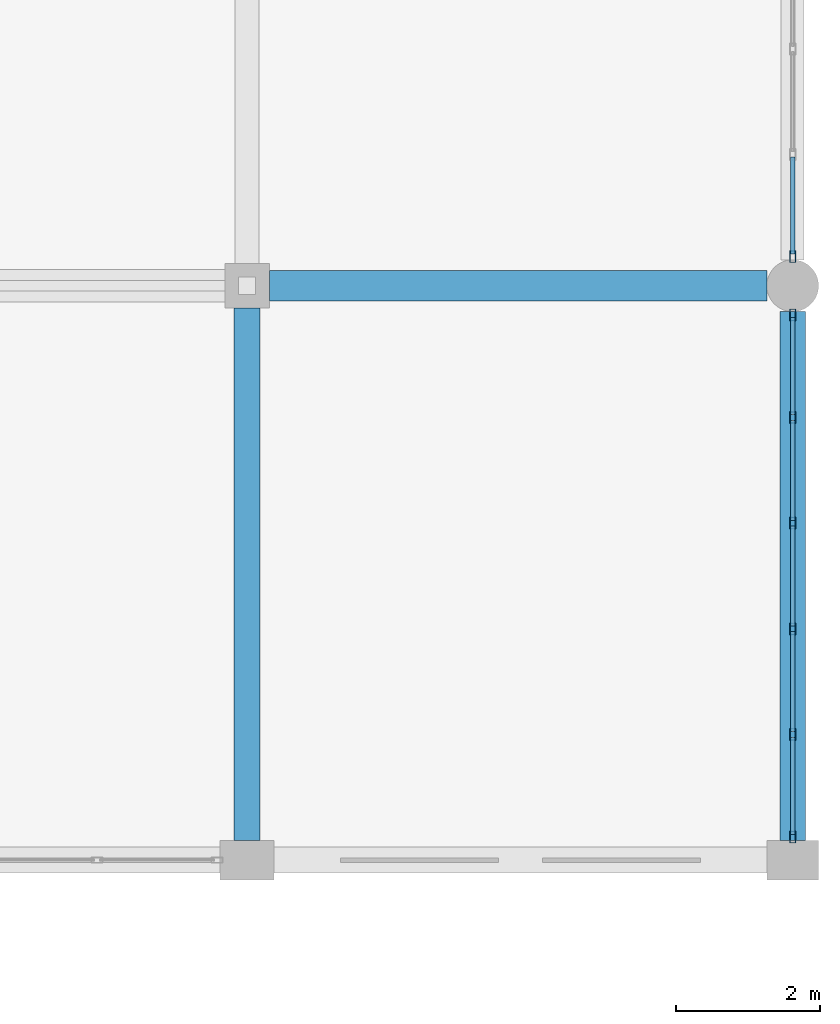
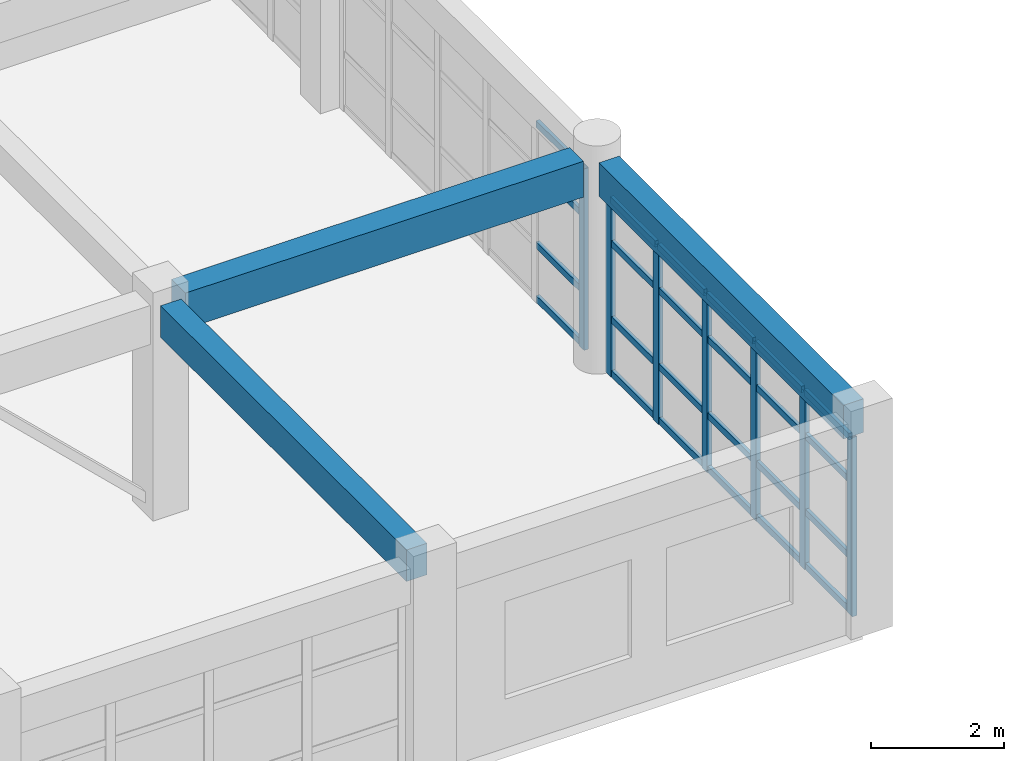
# One storey, part 127 of 195: 31 members, 3 beams, 2 elements without a shape of their own.
"""IFC4 building model written with IfcOpenShell, lengths in metres."""

from ifc_helpers import new_model, si_unit, direction, frame, origin, origin_2d, place, context, subcontext, project, spatial, rectangle, hollow_rectangle, extrude, material, material_profile, profile_set, type_object, element, aggregate, save


model = new_model("IFC4")

# Units and contexts
model_context = context("Model", 3, precision=1e-05, world=origin(), true_north=direction((0.0, 1.0)))
body_context = subcontext(model_context, "Body", "Model", "MODEL_VIEW")
ifc_project = project(units=[si_unit("LENGTHUNIT", "METRE"), si_unit("AREAUNIT", "SQUARE_METRE"), si_unit("VOLUMEUNIT", "CUBIC_METRE"), si_unit("PLANEANGLEUNIT", "RADIAN"), si_unit("MASSUNIT", "GRAM", prefix="KILO")], contexts=[model_context])

# Site, building, storey
site_placement = place(None, origin())
site = spatial("IfcSite", under=ifc_project, at=site_placement, CompositionType="ELEMENT")
building_placement = place(site_placement, origin())
building = spatial("IfcBuilding", under=site, at=building_placement, Name="Kharva Crest Polytechnic", CompositionType="ELEMENT")
storey_placement = place(building_placement, frame((0.0, 0.0, 9.0)))
storey = spatial("IfcBuildingStorey", under=building, at=storey_placement, Name="L02", CompositionType="ELEMENT", Elevation=9.0)

# Beams
ifc_material_1 = material(Name="Concrete C35/45", Category="concrete")
ifc_material_profile_1 = material_profile(ifc_material_1, rectangle(XDim=0.360107421875, YDim=0.580078125, at=origin_2d()), Name="RECT 360 X 580")
ifc_profile_set_1 = profile_set([ifc_material_profile_1], Name="Concrete C35/45")
beam_type_1 = type_object("IfcBeamType", Name="BM-RC-360X580", PredefinedType="BEAM", material=ifc_profile_set_1)
beam_1_placement = place(storey_placement, frame((176.39990234375, 39.074951171875, 3.6298828125), z_axis=(0.0, 1.0, 0.0), x_axis=(-1.0, 0.0, 0.0)))
element("IfcBeam", 1, at=beam_1_placement, inside=storey, type_object=beam_type_1, Name="L02 Girder 23/FJ-G", PredefinedType="BEAM", context=body_context, shape_type="SweptSolid", body=[
    extrude(rectangle(XDim=0.360107421875, YDim=0.580078125, at=origin_2d()), origin(), (0.0, 0.0, 1.0), 7.4150390625),
])
ifc_material_profile_2 = material_profile(ifc_material_1, rectangle(XDim=0.419921875, YDim=0.659912109375, at=origin_2d()), Name="RECT 420 X 660")
ifc_profile_set_2 = profile_set([ifc_material_profile_2], Name="Concrete C35/45")
beam_type_2 = type_object("IfcBeamType", Name="BM-RC-420X660", PredefinedType="BEAM", material=ifc_profile_set_2)
beam_2_placement = place(storey_placement, frame((176.7099609375, 46.800048828125, 3.590087890625), z_axis=(1.0, 0.0, 0.0), x_axis=(0.0, 1.0, 0.0)))
element("IfcBeam", 2, at=beam_2_placement, inside=storey, type_object=beam_type_2, Name="L02 Beam G/23-24", PredefinedType="BEAM", context=body_context, shape_type="SweptSolid", body=[
    extrude(rectangle(XDim=0.419921875, YDim=0.659912109375, at=origin_2d()), origin(), (0.0, 0.0, 1.0), 6.929931640625),
])

# Curtain wall, members
ifc_material_2 = material(Name="Tempered insulated glass", Category="glass")
curtain_wall_type = type_object("IfcCurtainWallType", Name="CW-SYS-COURT", PredefinedType="USERDEFINED", material=ifc_material_2)
curtain_wall_1_placement = place(storey_placement, origin())
curtain_wall_1 = element("IfcCurtainWall", 3, at=curtain_wall_1_placement, inside=storey, type_object=curtain_wall_type, Name="L02 Glazed Curtain Wall CW-103", ObjectType="CURTAIN WALL", PredefinedType="USERDEFINED")
ifc_material_3 = material(Name="Steel S355", Category="steel")
ifc_material_profile_3 = material_profile(ifc_material_3, hollow_rectangle(XDim=0.080078125, YDim=0.159912109375, WallThickness=0.0048828125, at=origin_2d()), Name="RHS 160X80X5.0")
ifc_profile_set_3 = profile_set([ifc_material_profile_3], Name="Steel S355")
member_type_1 = type_object("IfcMemberType", Name="CWM-RHS160X80", PredefinedType="MULLION", material=ifc_profile_set_3)
member_1_placement = place(storey_placement, frame((184.0, 39.1201171875, 0.0), z_axis=(0.0, 0.0, 1.0), x_axis=(-1.0, 0.0, 0.0)))
member_1 = element("IfcMember", 4, at=member_1_placement, type_object=member_type_1, Name="CW-103 mullion 1", PredefinedType="MULLION", context=body_context, shape_type="SweptSolid", body=[
    extrude(hollow_rectangle(XDim=0.080078125, YDim=0.159912109375, WallThickness=0.0048828125, at=origin_2d()), origin(), (0.0, 0.0, 1.0), 3.300048828125),
])
member_2_placement = place(storey_placement, frame((184.0, 40.551025390625, 0.0), z_axis=(0.0, 0.0, 1.0), x_axis=(-1.0, 0.0, 0.0)))
member_2 = element("IfcMember", 5, at=member_2_placement, type_object=member_type_1, Name="CW-103 mullion 2", PredefinedType="MULLION", context=body_context, shape_type="SweptSolid", body=[
    extrude(hollow_rectangle(XDim=0.080078125, YDim=0.159912109375, WallThickness=0.0048828125, at=origin_2d()), origin(), (0.0, 0.0, 1.0), 3.300048828125),
])
member_3_placement = place(storey_placement, frame((184.0, 42.02197265625, 0.0), z_axis=(0.0, 0.0, 1.0), x_axis=(-1.0, 0.0, 0.0)))
member_3 = element("IfcMember", 6, at=member_3_placement, type_object=member_type_1, Name="CW-103 mullion 3", PredefinedType="MULLION", context=body_context, shape_type="SweptSolid", body=[
    extrude(hollow_rectangle(XDim=0.080078125, YDim=0.159912109375, WallThickness=0.0048828125, at=origin_2d()), origin(), (0.0, 0.0, 1.0), 3.300048828125),
])
member_4_placement = place(storey_placement, frame((184.0, 43.492919921875, 0.0), z_axis=(0.0, 0.0, 1.0), x_axis=(-1.0, 0.0, 0.0)))
member_4 = element("IfcMember", 7, at=member_4_placement, type_object=member_type_1, Name="CW-103 mullion 4", PredefinedType="MULLION", context=body_context, shape_type="SweptSolid", body=[
    extrude(hollow_rectangle(XDim=0.080078125, YDim=0.159912109375, WallThickness=0.0048828125, at=origin_2d()), origin(), (0.0, 0.0, 1.0), 3.300048828125),
])
member_5_placement = place(storey_placement, frame((184.0, 44.964111328125, 0.0), z_axis=(0.0, 0.0, 1.0), x_axis=(-1.0, 0.0, 0.0)))
member_5 = element("IfcMember", 8, at=member_5_placement, type_object=member_type_1, Name="CW-103 mullion 5", PredefinedType="MULLION", context=body_context, shape_type="SweptSolid", body=[
    extrude(hollow_rectangle(XDim=0.080078125, YDim=0.159912109375, WallThickness=0.0048828125, at=origin_2d()), origin(), (0.0, 0.0, 1.0), 3.300048828125),
])
member_6_placement = place(storey_placement, frame((184.0, 46.39501953125, 0.0), z_axis=(0.0, 0.0, 1.0), x_axis=(-1.0, 0.0, 0.0)))
member_6 = element("IfcMember", 9, at=member_6_placement, type_object=member_type_1, Name="CW-103 mullion 6", PredefinedType="MULLION", context=body_context, shape_type="SweptSolid", body=[
    extrude(hollow_rectangle(XDim=0.080078125, YDim=0.159912109375, WallThickness=0.0048828125, at=origin_2d()), origin(), (0.0, 0.0, 1.0), 3.300048828125),
])

# Curtain wall, member
curtain_wall_2_placement = place(storey_placement, origin())
curtain_wall_2 = element("IfcCurtainWall", 10, at=curtain_wall_2_placement, inside=storey, type_object=curtain_wall_type, Name="L02 Glazed Curtain Wall CW-104", ObjectType="CURTAIN WALL", PredefinedType="USERDEFINED")
member_7_placement = place(storey_placement, frame((184.0, 47.205078125, 0.0), z_axis=(0.0, 0.0, 1.0), x_axis=(-1.0, 0.0, 0.0)))
member_7 = element("IfcMember", 11, at=member_7_placement, type_object=member_type_1, Name="CW-104 mullion 1", PredefinedType="MULLION", context=body_context, shape_type="SweptSolid", body=[
    extrude(hollow_rectangle(XDim=0.080078125, YDim=0.159912109375, WallThickness=0.0048828125, at=origin_2d()), origin(), (0.0, 0.0, 1.0), 3.340087890625),
])

# Member
ifc_material_profile_4 = material_profile(ifc_material_3, hollow_rectangle(XDim=0.06005859375, YDim=0.1201171875, WallThickness=0.00390625, at=origin_2d()), Name="RHS 120X60X4.0")
ifc_profile_set_4 = profile_set([ifc_material_profile_4], Name="Steel S355")
member_type_2 = type_object("IfcMemberType", Name="CWT-RHS120X60", PredefinedType="USERDEFINED", material=ifc_profile_set_4)
member_8_placement = place(storey_placement, frame((184.0, 39.159912109375, 0.06005859375), z_axis=(0.0, 1.0, 0.0), x_axis=(-1.0, 0.0, 0.0)))
member_8 = element("IfcMember", 12, at=member_8_placement, type_object=member_type_2, Name="CW-103 transom 1.1", ObjectType="TRANSOM", PredefinedType="USERDEFINED", context=body_context, shape_type="SweptSolid", body=[
    extrude(hollow_rectangle(XDim=0.06005859375, YDim=0.1201171875, WallThickness=0.00390625, at=origin_2d()), origin(), (0.0, 0.0, 1.0), 1.35107421875),
])

member_9_placement = place(storey_placement, frame((184.0, 39.159912109375, 1.050048828125), z_axis=(0.0, 1.0, 0.0), x_axis=(-1.0, 0.0, 0.0)))
member_9 = element("IfcMember", 13, at=member_9_placement, type_object=member_type_2, Name="CW-103 transom 1.2", ObjectType="TRANSOM", PredefinedType="USERDEFINED", context=body_context, shape_type="SweptSolid", body=[
    extrude(hollow_rectangle(XDim=0.06005859375, YDim=0.1201171875, WallThickness=0.00390625, at=origin_2d()), origin(), (0.0, 0.0, 1.0), 1.35107421875),
])

member_10_placement = place(storey_placement, frame((184.0, 39.159912109375, 2.449951171875), z_axis=(0.0, 1.0, 0.0), x_axis=(-1.0, 0.0, 0.0)))
member_10 = element("IfcMember", 14, at=member_10_placement, type_object=member_type_2, Name="CW-103 transom 1.3", ObjectType="TRANSOM", PredefinedType="USERDEFINED", context=body_context, shape_type="SweptSolid", body=[
    extrude(hollow_rectangle(XDim=0.06005859375, YDim=0.1201171875, WallThickness=0.00390625, at=origin_2d()), origin(), (0.0, 0.0, 1.0), 1.35107421875),
])

member_11_placement = place(storey_placement, frame((184.0, 39.159912109375, 3.239990234375), z_axis=(0.0, 1.0, 0.0), x_axis=(-1.0, 0.0, 0.0)))
member_11 = element("IfcMember", 15, at=member_11_placement, type_object=member_type_2, Name="CW-103 transom 1.4", ObjectType="TRANSOM", PredefinedType="USERDEFINED", context=body_context, shape_type="SweptSolid", body=[
    extrude(hollow_rectangle(XDim=0.06005859375, YDim=0.1201171875, WallThickness=0.00390625, at=origin_2d()), origin(), (0.0, 0.0, 1.0), 1.35107421875),
])

member_12_placement = place(storey_placement, frame((184.0, 40.591064453125, 0.06005859375), z_axis=(0.0, 1.0, 0.0), x_axis=(-1.0, 0.0, 0.0)))
member_12 = element("IfcMember", 16, at=member_12_placement, type_object=member_type_2, Name="CW-103 transom 2.1", ObjectType="TRANSOM", PredefinedType="USERDEFINED", context=body_context, shape_type="SweptSolid", body=[
    extrude(hollow_rectangle(XDim=0.06005859375, YDim=0.1201171875, WallThickness=0.00390625, at=origin_2d()), origin(), (0.0, 0.0, 1.0), 1.390869140625),
])

member_13_placement = place(storey_placement, frame((184.0, 40.591064453125, 1.050048828125), z_axis=(0.0, 1.0, 0.0), x_axis=(-1.0, 0.0, 0.0)))
member_13 = element("IfcMember", 17, at=member_13_placement, type_object=member_type_2, Name="CW-103 transom 2.2", ObjectType="TRANSOM", PredefinedType="USERDEFINED", context=body_context, shape_type="SweptSolid", body=[
    extrude(hollow_rectangle(XDim=0.06005859375, YDim=0.1201171875, WallThickness=0.00390625, at=origin_2d()), origin(), (0.0, 0.0, 1.0), 1.390869140625),
])

member_14_placement = place(storey_placement, frame((184.0, 40.591064453125, 2.449951171875), z_axis=(0.0, 1.0, 0.0), x_axis=(-1.0, 0.0, 0.0)))
member_14 = element("IfcMember", 18, at=member_14_placement, type_object=member_type_2, Name="CW-103 transom 2.3", ObjectType="TRANSOM", PredefinedType="USERDEFINED", context=body_context, shape_type="SweptSolid", body=[
    extrude(hollow_rectangle(XDim=0.06005859375, YDim=0.1201171875, WallThickness=0.00390625, at=origin_2d()), origin(), (0.0, 0.0, 1.0), 1.390869140625),
])

member_15_placement = place(storey_placement, frame((184.0, 40.591064453125, 3.239990234375), z_axis=(0.0, 1.0, 0.0), x_axis=(-1.0, 0.0, 0.0)))
member_15 = element("IfcMember", 19, at=member_15_placement, type_object=member_type_2, Name="CW-103 transom 2.4", ObjectType="TRANSOM", PredefinedType="USERDEFINED", context=body_context, shape_type="SweptSolid", body=[
    extrude(hollow_rectangle(XDim=0.06005859375, YDim=0.1201171875, WallThickness=0.00390625, at=origin_2d()), origin(), (0.0, 0.0, 1.0), 1.390869140625),
])

member_16_placement = place(storey_placement, frame((184.0, 42.06201171875, 0.06005859375), z_axis=(0.0, 1.0, 0.0), x_axis=(-1.0, 0.0, 0.0)))
member_16 = element("IfcMember", 20, at=member_16_placement, type_object=member_type_2, Name="CW-103 transom 3.1", ObjectType="TRANSOM", PredefinedType="USERDEFINED", context=body_context, shape_type="SweptSolid", body=[
    extrude(hollow_rectangle(XDim=0.06005859375, YDim=0.1201171875, WallThickness=0.00390625, at=origin_2d()), origin(), (0.0, 0.0, 1.0), 1.390869140625),
])

member_17_placement = place(storey_placement, frame((184.0, 42.06201171875, 1.050048828125), z_axis=(0.0, 1.0, 0.0), x_axis=(-1.0, 0.0, 0.0)))
member_17 = element("IfcMember", 21, at=member_17_placement, type_object=member_type_2, Name="CW-103 transom 3.2", ObjectType="TRANSOM", PredefinedType="USERDEFINED", context=body_context, shape_type="SweptSolid", body=[
    extrude(hollow_rectangle(XDim=0.06005859375, YDim=0.1201171875, WallThickness=0.00390625, at=origin_2d()), origin(), (0.0, 0.0, 1.0), 1.390869140625),
])

member_18_placement = place(storey_placement, frame((184.0, 42.06201171875, 2.449951171875), z_axis=(0.0, 1.0, 0.0), x_axis=(-1.0, 0.0, 0.0)))
member_18 = element("IfcMember", 22, at=member_18_placement, type_object=member_type_2, Name="CW-103 transom 3.3", ObjectType="TRANSOM", PredefinedType="USERDEFINED", context=body_context, shape_type="SweptSolid", body=[
    extrude(hollow_rectangle(XDim=0.06005859375, YDim=0.1201171875, WallThickness=0.00390625, at=origin_2d()), origin(), (0.0, 0.0, 1.0), 1.390869140625),
])

member_19_placement = place(storey_placement, frame((184.0, 42.06201171875, 3.239990234375), z_axis=(0.0, 1.0, 0.0), x_axis=(-1.0, 0.0, 0.0)))
member_19 = element("IfcMember", 23, at=member_19_placement, type_object=member_type_2, Name="CW-103 transom 3.4", ObjectType="TRANSOM", PredefinedType="USERDEFINED", context=body_context, shape_type="SweptSolid", body=[
    extrude(hollow_rectangle(XDim=0.06005859375, YDim=0.1201171875, WallThickness=0.00390625, at=origin_2d()), origin(), (0.0, 0.0, 1.0), 1.390869140625),
])

member_20_placement = place(storey_placement, frame((184.0, 43.532958984375, 0.06005859375), z_axis=(0.0, 1.0, 0.0), x_axis=(-1.0, 0.0, 0.0)))
member_20 = element("IfcMember", 24, at=member_20_placement, type_object=member_type_2, Name="CW-103 transom 4.1", ObjectType="TRANSOM", PredefinedType="USERDEFINED", context=body_context, shape_type="SweptSolid", body=[
    extrude(hollow_rectangle(XDim=0.06005859375, YDim=0.1201171875, WallThickness=0.00390625, at=origin_2d()), origin(), (0.0, 0.0, 1.0), 1.39111328125),
])

member_21_placement = place(storey_placement, frame((184.0, 43.532958984375, 1.050048828125), z_axis=(0.0, 1.0, 0.0), x_axis=(-1.0, 0.0, 0.0)))
member_21 = element("IfcMember", 25, at=member_21_placement, type_object=member_type_2, Name="CW-103 transom 4.2", ObjectType="TRANSOM", PredefinedType="USERDEFINED", context=body_context, shape_type="SweptSolid", body=[
    extrude(hollow_rectangle(XDim=0.06005859375, YDim=0.1201171875, WallThickness=0.00390625, at=origin_2d()), origin(), (0.0, 0.0, 1.0), 1.39111328125),
])

member_22_placement = place(storey_placement, frame((184.0, 43.532958984375, 2.449951171875), z_axis=(0.0, 1.0, 0.0), x_axis=(-1.0, 0.0, 0.0)))
member_22 = element("IfcMember", 26, at=member_22_placement, type_object=member_type_2, Name="CW-103 transom 4.3", ObjectType="TRANSOM", PredefinedType="USERDEFINED", context=body_context, shape_type="SweptSolid", body=[
    extrude(hollow_rectangle(XDim=0.06005859375, YDim=0.1201171875, WallThickness=0.00390625, at=origin_2d()), origin(), (0.0, 0.0, 1.0), 1.39111328125),
])

member_23_placement = place(storey_placement, frame((184.0, 43.532958984375, 3.239990234375), z_axis=(0.0, 1.0, 0.0), x_axis=(-1.0, 0.0, 0.0)))
member_23 = element("IfcMember", 27, at=member_23_placement, type_object=member_type_2, Name="CW-103 transom 4.4", ObjectType="TRANSOM", PredefinedType="USERDEFINED", context=body_context, shape_type="SweptSolid", body=[
    extrude(hollow_rectangle(XDim=0.06005859375, YDim=0.1201171875, WallThickness=0.00390625, at=origin_2d()), origin(), (0.0, 0.0, 1.0), 1.39111328125),
])

member_24_placement = place(storey_placement, frame((184.0, 45.00390625, 0.06005859375), z_axis=(0.0, 1.0, 0.0), x_axis=(-1.0, 0.0, 0.0)))
member_24 = element("IfcMember", 28, at=member_24_placement, type_object=member_type_2, Name="CW-103 transom 5.1", ObjectType="TRANSOM", PredefinedType="USERDEFINED", context=body_context, shape_type="SweptSolid", body=[
    extrude(hollow_rectangle(XDim=0.06005859375, YDim=0.1201171875, WallThickness=0.00390625, at=origin_2d()), origin(), (0.0, 0.0, 1.0), 1.35107421875),
])

member_25_placement = place(storey_placement, frame((184.0, 45.00390625, 1.050048828125), z_axis=(0.0, 1.0, 0.0), x_axis=(-1.0, 0.0, 0.0)))
member_25 = element("IfcMember", 29, at=member_25_placement, type_object=member_type_2, Name="CW-103 transom 5.2", ObjectType="TRANSOM", PredefinedType="USERDEFINED", context=body_context, shape_type="SweptSolid", body=[
    extrude(hollow_rectangle(XDim=0.06005859375, YDim=0.1201171875, WallThickness=0.00390625, at=origin_2d()), origin(), (0.0, 0.0, 1.0), 1.35107421875),
])

member_26_placement = place(storey_placement, frame((184.0, 45.00390625, 2.449951171875), z_axis=(0.0, 1.0, 0.0), x_axis=(-1.0, 0.0, 0.0)))
member_26 = element("IfcMember", 30, at=member_26_placement, type_object=member_type_2, Name="CW-103 transom 5.3", ObjectType="TRANSOM", PredefinedType="USERDEFINED", context=body_context, shape_type="SweptSolid", body=[
    extrude(hollow_rectangle(XDim=0.06005859375, YDim=0.1201171875, WallThickness=0.00390625, at=origin_2d()), origin(), (0.0, 0.0, 1.0), 1.35107421875),
])

member_27_placement = place(storey_placement, frame((184.0, 45.00390625, 3.239990234375), z_axis=(0.0, 1.0, 0.0), x_axis=(-1.0, 0.0, 0.0)))
member_27 = element("IfcMember", 31, at=member_27_placement, type_object=member_type_2, Name="CW-103 transom 5.4", ObjectType="TRANSOM", PredefinedType="USERDEFINED", context=body_context, shape_type="SweptSolid", body=[
    extrude(hollow_rectangle(XDim=0.06005859375, YDim=0.1201171875, WallThickness=0.00390625, at=origin_2d()), origin(), (0.0, 0.0, 1.0), 1.35107421875),
])

aggregate(curtain_wall_1, [member_1, member_2, member_3, member_4, member_5, member_6, member_8, member_9, member_10, member_11, member_12, member_13, member_14, member_15, member_16, member_17, member_18, member_19, member_20, member_21, member_22, member_23, member_24, member_25, member_26, member_27])

member_28_placement = place(storey_placement, frame((184.0, 47.2451171875, 0.06005859375), z_axis=(0.0, 1.0, 0.0), x_axis=(-1.0, 0.0, 0.0)))
member_28 = element("IfcMember", 32, at=member_28_placement, type_object=member_type_2, Name="CW-104 transom 1.1", ObjectType="TRANSOM", PredefinedType="USERDEFINED", context=body_context, shape_type="SweptSolid", body=[
    extrude(hollow_rectangle(XDim=0.06005859375, YDim=0.1201171875, WallThickness=0.00390625, at=origin_2d()), origin(), (0.0, 0.0, 1.0), 1.345947265625),
])

member_29_placement = place(storey_placement, frame((184.0, 47.2451171875, 1.050048828125), z_axis=(0.0, 1.0, 0.0), x_axis=(-1.0, 0.0, 0.0)))
member_29 = element("IfcMember", 33, at=member_29_placement, type_object=member_type_2, Name="CW-104 transom 1.2", ObjectType="TRANSOM", PredefinedType="USERDEFINED", context=body_context, shape_type="SweptSolid", body=[
    extrude(hollow_rectangle(XDim=0.06005859375, YDim=0.1201171875, WallThickness=0.00390625, at=origin_2d()), origin(), (0.0, 0.0, 1.0), 1.345947265625),
])

member_30_placement = place(storey_placement, frame((184.0, 47.2451171875, 2.449951171875), z_axis=(0.0, 1.0, 0.0), x_axis=(-1.0, 0.0, 0.0)))
member_30 = element("IfcMember", 34, at=member_30_placement, type_object=member_type_2, Name="CW-104 transom 1.3", ObjectType="TRANSOM", PredefinedType="USERDEFINED", context=body_context, shape_type="SweptSolid", body=[
    extrude(hollow_rectangle(XDim=0.06005859375, YDim=0.1201171875, WallThickness=0.00390625, at=origin_2d()), origin(), (0.0, 0.0, 1.0), 1.345947265625),
])

member_31_placement = place(storey_placement, frame((184.0, 47.2451171875, 3.280029296875), z_axis=(0.0, 1.0, 0.0), x_axis=(-1.0, 0.0, 0.0)))
member_31 = element("IfcMember", 35, at=member_31_placement, type_object=member_type_2, Name="CW-104 transom 1.4", ObjectType="TRANSOM", PredefinedType="USERDEFINED", context=body_context, shape_type="SweptSolid", body=[
    extrude(hollow_rectangle(XDim=0.06005859375, YDim=0.1201171875, WallThickness=0.00390625, at=origin_2d()), origin(), (0.0, 0.0, 1.0), 1.345947265625),
])

aggregate(curtain_wall_2, [member_7, member_28, member_29, member_30, member_31])

# Beam
ifc_material_profile_5 = material_profile(ifc_material_1, rectangle(XDim=0.35009765625, YDim=0.6201171875, at=origin_2d()), Name="RECT 350 X 620")
ifc_profile_set_5 = profile_set([ifc_material_profile_5], Name="Concrete C35/45")
beam_type_3 = type_object("IfcBeamType", Name="SP-RC-350X620", PredefinedType="SPANDREL", material=ifc_profile_set_5)
beam_3_placement = place(storey_placement, frame((184.0, 39.074951171875, 3.610107421875), z_axis=(0.0, 1.0, 0.0), x_axis=(-1.0, 0.0, 0.0)))
element("IfcBeam", 36, at=beam_3_placement, inside=storey, type_object=beam_type_3, Name="L02 Girder 24/FJ-G", PredefinedType="SPANDREL", context=body_context, shape_type="SweptSolid", body=[
    extrude(rectangle(XDim=0.35009765625, YDim=0.6201171875, at=origin_2d()), origin(), (0.0, 0.0, 1.0), 7.364990234375),
])

save(model, "model.ifc")
